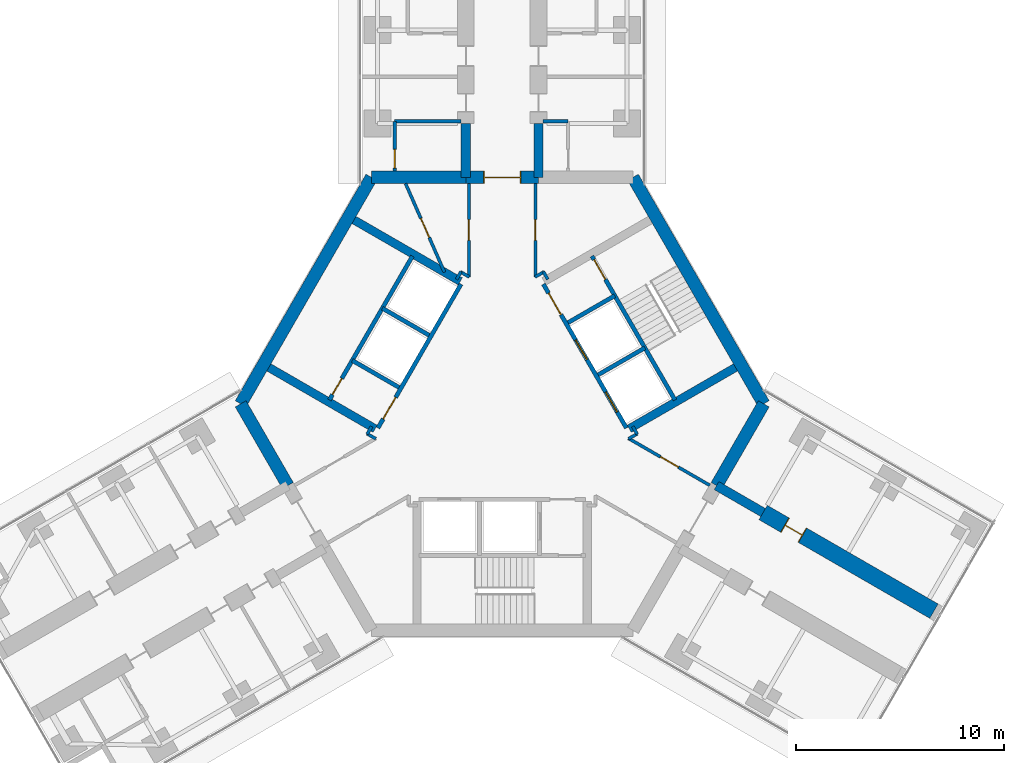
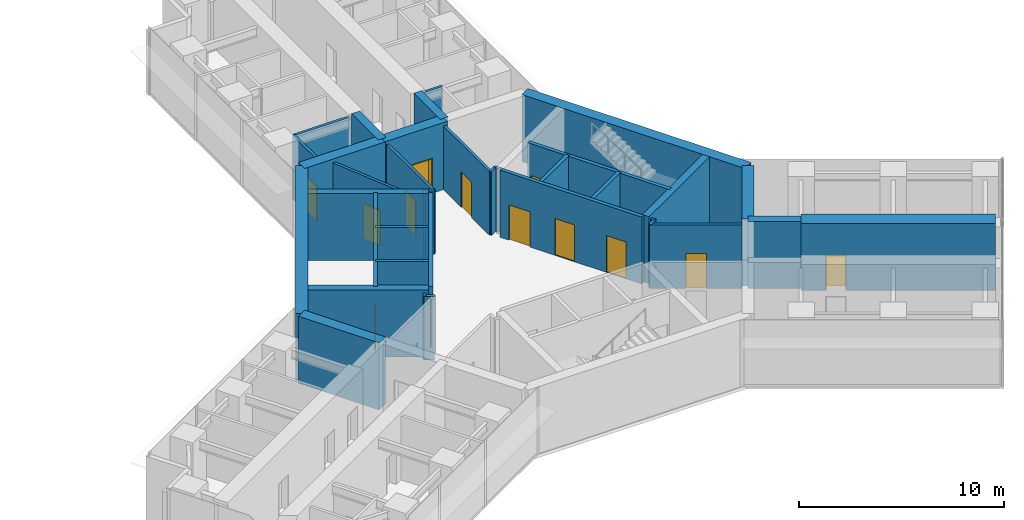
# One storey, part 19 of 22: 36 walls, 13 doors, 13 openings.
"""IFC4 building model written with IfcOpenShell, lengths in metres."""

from ifc_helpers import new_model, si_unit, direction, frame, frame_2d, origin, place, context, subcontext, project, spatial, rectangle, extrude, material, layer, layer_set, type_object, element, fill, save


model = new_model("IFC4")

# Units and contexts
model_context = context("Model", 3, precision=1e-05, world=origin(), true_north=direction((0.0, 1.0)))
body_context = subcontext(model_context, "Body", "Model", "MODEL_VIEW")
ifc_project = project(units=[si_unit("LENGTHUNIT", "METRE"), si_unit("AREAUNIT", "SQUARE_METRE"), si_unit("VOLUMEUNIT", "CUBIC_METRE"), si_unit("PLANEANGLEUNIT", "RADIAN"), si_unit("MASSUNIT", "GRAM", prefix="KILO")], contexts=[model_context])

# Site, building, storey
site_placement = place(None, origin())
site = spatial("IfcSite", under=ifc_project, at=site_placement, CompositionType="ELEMENT")
building_placement = place(site_placement, origin())
building = spatial("IfcBuilding", under=site, at=building_placement, Name="Upepo Twin Towers", CompositionType="ELEMENT")
storey_placement = place(building_placement, frame((0.0, 0.0, 129.5)))
storey = spatial("IfcBuildingStorey", under=building, at=storey_placement, Name="L31", CompositionType="ELEMENT", Elevation=129.5)

# Walls
ifc_material_1 = material(Name="Concrete C60/75", Category="concrete")
ifc_layer_1 = layer(ifc_material_1, 0.449951171875)
ifc_layer_set_1 = layer_set([ifc_layer_1], Name="Concrete C60/75")
wall_type_1 = type_object("IfcWallType", Name="Buttress wall 450 RC", PredefinedType="SHEAR", material=ifc_layer_set_1)
for number, where, z_axis, x_axis, name in (
    (1, (56.75, -7.091552734375, 0.0), (0.0, 0.0, 1.0), (0.0, 1.0, 0.0), "T2 wing A buttress wall L"),
    (2, (60.25, -7.091552734375, 0.0), (0.0, 0.0, 1.0), (0.0, 1.0, 0.0), "T2 wing A buttress wall R"),
):
    element("IfcWall", number, at=place(storey_placement, frame(where, z_axis=z_axis, x_axis=x_axis)), inside=storey, type_object=wall_type_1, Name=name, PredefinedType="SHEAR", context=body_context, shape_type="SweptSolid", body=[
        extrude(rectangle(XDim=2.591552734375, YDim=0.449951171875, at=frame_2d((1.2958984375, 0.0))), origin(), (0.0, 0.0, 1.0), 4.0),
    ])
wall_1_placement = place(storey_placement, frame((68.82177734375, -21.938720703125, 0.0), z_axis=(0.0, 0.0, 1.0), x_axis=(0.866072649678, -0.499918158782, 0.0)))
element("IfcWall", 3, at=wall_1_placement, inside=storey, type_object=wall_type_1, Name="T2 wing C buttress wall L", PredefinedType="SHEAR", context=body_context, shape_type="SweptSolid", body=[
    extrude(rectangle(XDim=2.591796875, YDim=0.449951171875, at=frame_2d((1.2958984375, 0.0))), origin(), (0.0, 0.0, 1.0), 4.0),
])

# Wall, opening, door
ifc_material_2 = material(Name="Concrete C60/75", Category="concrete")
ifc_layer_2 = layer(ifc_material_2, 0.800048828125)
ifc_layer_set_2 = layer_set([ifc_layer_2], Name="Concrete C60/75")
wall_type_2 = type_object("IfcWallType", Name="Buttress wall 800 RC", PredefinedType="SHEAR", material=ifc_layer_set_2)
wall_2_placement = place(storey_placement, frame((71.06640625, -23.234375, 0.0), z_axis=(0.0, 0.0, 1.0), x_axis=(0.86602681393, -0.499997557548, 0.0)))
wall_2 = element("IfcWall", 4, at=wall_2_placement, inside=storey, type_object=wall_type_2, Name="T2 wing C buttress wall L part 2", PredefinedType="SHEAR", context=body_context, shape_type="SweptSolid", body=[
    extrude(rectangle(XDim=9.5, YDim=0.800048828125, at=frame_2d((4.75, 0.0))), origin(), (0.0, 0.0, 1.0), 4.0),
])
opening_1_placement = place(wall_2_placement, frame((1.199951171875, 0.0, 0.0)))
opening_1 = element("IfcOpeningElement", 5, at=opening_1_placement, cuts=wall_2, Name="Opening D1", PredefinedType="OPENING", context=body_context, shape_type="SweptSolid", body=[
    extrude(rectangle(XDim=1.0, YDim=2.10009765625, at=frame_2d((0.5, 1.050048828125))), frame((0.0, 0.409912109375, 0.0), z_axis=(0.0, -1.0, 0.0), x_axis=(1.0, 0.0, 0.0)), (0.0, 0.0, 1.0), 0.820068359375),
])
ifc_material_3 = material(Name="Timber doorset", Category="wood")
door_type_1 = type_object("IfcDoorType", Name="Room door 1000 FD30", OperationType="SINGLE_SWING_LEFT", PredefinedType="DOOR", material=ifc_material_3)
door_1_placement = place(opening_1_placement, origin())
door_1 = element("IfcDoor", 6, at=door_1_placement, inside=storey, type_object=door_type_1, Name="T2 L31 staff office door", OperationType="SINGLE_SWING_LEFT", OverallHeight=2.10009765625, OverallWidth=1.0, PredefinedType="DOOR", context=body_context, shape_type="SweptSolid", body=[
    extrude(rectangle(XDim=0.92, YDim=2.06009765625, at=frame_2d((0.5, 1.030029296875))), frame((0.0, 0.02490234375, 0.0), z_axis=(0.0, -1.0, 0.0), x_axis=(1.0, 0.0, 0.0)), (0.0, 0.0, 1.0), 0.050048828125),
    extrude(rectangle(XDim=0.04, YDim=2.10009765625, at=frame_2d((0.02001953125, 1.050048828125))), frame((0.0, 0.39990234375, 0.0), z_axis=(0.0, -1.0, 0.0), x_axis=(1.0, 0.0, 0.0)), (0.0, 0.0, 1.0), 0.799560546875),
    extrude(rectangle(XDim=0.04, YDim=2.10009765625, at=frame_2d((0.97998046875, 1.050048828125))), frame((0.0, 0.39990234375, 0.0), z_axis=(0.0, -1.0, 0.0), x_axis=(1.0, 0.0, 0.0)), (0.0, 0.0, 1.0), 0.799560546875),
    extrude(rectangle(XDim=0.92, YDim=0.04, at=frame_2d((0.5, 2.080078125))), frame((0.0, 0.39990234375, 0.0), z_axis=(0.0, -1.0, 0.0), x_axis=(1.0, 0.0, 0.0)), (0.0, 0.0, 1.0), 0.799560546875),
])
fill(opening_1, door_1)

ifc_material_4 = material(Name="Concrete C60/75", Category="concrete")
ifc_layer_3 = layer(ifc_material_4, 0.60009765625)
ifc_layer_set_3 = layer_set([ifc_layer_3], Name="Concrete C60/75")
wall_type_3 = type_object("IfcWallType", Name="Core wall 600 RC", PredefinedType="SHEAR", material=ifc_layer_set_3)
wall_3_placement = place(storey_placement, frame((60.25, -7.091552734375, 0.0), z_axis=(0.0, 0.0, 1.0), x_axis=(-1.0, 0.0, 0.0)))
wall_3 = element("IfcWall", 7, at=wall_3_placement, inside=storey, type_object=wall_type_3, Name="T2 core wall 000", PredefinedType="SHEAR", context=body_context, shape_type="SweptSolid", body=[
    extrude(rectangle(XDim=3.5, YDim=0.60009765625, at=frame_2d((1.75, 0.0))), origin(), (0.0, 0.0, 1.0), 4.0),
])
opening_2_placement = place(wall_3_placement, frame((0.85009765625, 0.0, 0.0)))
opening_2 = element("IfcOpeningElement", 8, at=opening_2_placement, cuts=wall_3, Name="Opening D2", PredefinedType="OPENING", context=body_context, shape_type="SweptSolid", body=[
    extrude(rectangle(XDim=1.800048828125, YDim=2.10009765625, at=frame_2d((0.89990234375, 1.050048828125))), frame((0.0, 0.31005859375, 0.0), z_axis=(0.0, -1.0, 0.0), x_axis=(1.0, 0.0, 0.0)), (0.0, 0.0, 1.0), 0.6201171875),
])
ifc_material_5 = material(Name="Timber doorset", Category="wood")
door_type_2 = type_object("IfcDoorType", Name="Corridor double door 1800 FD60", OperationType="DOUBLE_DOOR_DOUBLE_SWING", PredefinedType="DOOR", material=ifc_material_5)
door_2_placement = place(opening_2_placement, origin())
door_2 = element("IfcDoor", 9, at=door_2_placement, inside=storey, type_object=door_type_2, Name="T2 L31 wing A corridor door", OperationType="DOUBLE_DOOR_DOUBLE_SWING", OverallHeight=2.10009765625, OverallWidth=1.800048828125, PredefinedType="DOOR", context=body_context, shape_type="SweptSolid", body=[
    extrude(rectangle(XDim=1.720048828125, YDim=2.06009765625, at=frame_2d((0.89990234375, 1.030029296875))), frame((0.0, 0.02490234375, 0.0), z_axis=(0.0, -1.0, 0.0), x_axis=(1.0, 0.0, 0.0)), (0.0, 0.0, 1.0), 0.050048828125),
    extrude(rectangle(XDim=0.04, YDim=2.10009765625, at=frame_2d((0.02001953125, 1.050048828125))), frame((0.0, 0.2998046875, 0.0), z_axis=(0.0, -1.0, 0.0), x_axis=(1.0, 0.0, 0.0)), (0.0, 0.0, 1.0), 0.599609375),
    extrude(rectangle(XDim=0.04, YDim=2.10009765625, at=frame_2d((1.780029296875, 1.050048828125))), frame((0.0, 0.2998046875, 0.0), z_axis=(0.0, -1.0, 0.0), x_axis=(1.0, 0.0, 0.0)), (0.0, 0.0, 1.0), 0.599609375),
    extrude(rectangle(XDim=1.720048828125, YDim=0.04, at=frame_2d((0.89990234375, 2.080078125))), frame((0.0, 0.2998046875, 0.0), z_axis=(0.0, -1.0, 0.0), x_axis=(1.0, 0.0, 0.0)), (0.0, 0.0, 1.0), 0.599609375),
])
fill(opening_2, door_2)

# Walls
wall_4_placement = place(storey_placement, frame((56.75, -7.091552734375, 0.0), z_axis=(0.0, 0.0, 1.0), x_axis=(-1.0, 0.0, 0.0)))
element("IfcWall", 10, at=wall_4_placement, inside=storey, type_object=wall_type_3, Name="T2 core wall 000 L", PredefinedType="SHEAR", context=body_context, shape_type="SweptSolid", body=[
    extrude(rectangle(XDim=4.5478515625, YDim=0.60009765625, at=frame_2d((2.27392578125, 0.0))), origin(), (0.0, 0.0, 1.0), 4.0),
])
wall_5_placement = place(storey_placement, frame((52.2021484375, -7.091552734375, 0.0), z_axis=(0.0, 0.0, 1.0), x_axis=(-0.500005998175, -0.866021940709, 0.0)))
element("IfcWall", 11, at=wall_5_placement, inside=storey, type_object=wall_type_3, Name="T2 core wall 060", PredefinedType="SHEAR", context=body_context, shape_type="SweptSolid", body=[
    extrude(rectangle(XDim=12.595947265625, YDim=0.60009765625, at=frame_2d((6.2978515625, 0.0))), origin(), (0.0, 0.0, 1.0), 4.0),
])
for number, where, z_axis, x_axis, name in (
    (12, (45.904052734375, -18.0, 0.0), (0.0, 0.0, 1.0), (0.500024481964, -0.866011268655, 0.0), "T2 core wall 120 R"),
    (13, (68.82177734375, -21.938720703125, 0.0), (0.0, 0.0, 1.0), (0.500024481964, 0.866011268655, 0.0), "T2 core wall 240 L"),
):
    element("IfcWall", number, at=place(storey_placement, frame(where, z_axis=z_axis, x_axis=x_axis)), inside=storey, type_object=wall_type_3, Name=name, PredefinedType="SHEAR", context=body_context, shape_type="SweptSolid", body=[
        extrude(rectangle(XDim=4.548095703125, YDim=0.60009765625, at=frame_2d((2.27392578125, 0.0))), origin(), (0.0, 0.0, 1.0), 4.0),
    ])
wall_6_placement = place(storey_placement, frame((71.095947265625, -18.0, 0.0), z_axis=(0.0, 0.0, 1.0), x_axis=(-0.500005998175, 0.866021940709, 0.0)))
element("IfcWall", 14, at=wall_6_placement, inside=storey, type_object=wall_type_3, Name="T2 core wall 300", PredefinedType="SHEAR", context=body_context, shape_type="SweptSolid", body=[
    extrude(rectangle(XDim=12.595947265625, YDim=0.60009765625, at=frame_2d((6.2978515625, 0.0))), origin(), (0.0, 0.0, 1.0), 4.0),
])

# Wall, opening, door
ifc_material_6 = material(Name="Concrete C40/50", Category="concrete")
ifc_layer_4 = layer(ifc_material_6, 0.199951171875)
ifc_layer_set_4 = layer_set([ifc_layer_4], Name="Concrete C40/50")
wall_type_4 = type_object("IfcWallType", Name="Shaft wall 200 RC", PredefinedType="SHEAR", material=ifc_layer_set_4)
wall_7_placement = place(storey_placement, frame((56.516357421875, -12.23583984375, 0.0), z_axis=(0.0, 0.0, 1.0), x_axis=(-0.49999894854, -0.866026010844, 0.0)))
wall_7 = element("IfcWall", 15, at=wall_7_placement, inside=storey, type_object=wall_type_4, Name="T2 core W60 front wall", PredefinedType="SHEAR", context=body_context, shape_type="SweptSolid", body=[
    extrude(rectangle(XDim=8.0, YDim=0.199951171875, at=frame_2d((4.0, 0.0))), origin(), (0.0, 0.0, 1.0), 4.0),
])
opening_3_placement = place(wall_7_placement, frame((6.300048828125, 0.0, 0.0)))
opening_3 = element("IfcOpeningElement", 16, at=opening_3_placement, cuts=wall_7, Name="Opening D4", PredefinedType="OPENING", context=body_context, shape_type="SweptSolid", body=[
    extrude(rectangle(XDim=1.199951171875, YDim=2.10009765625, at=frame_2d((0.60009765625, 1.050048828125))), frame((0.0, 0.10986328125, 0.0), z_axis=(0.0, -1.0, 0.0), x_axis=(1.0, 0.0, 0.0)), (0.0, 0.0, 1.0), 0.219970703125),
])
ifc_material_7 = material(Name="Timber doorset", Category="wood")
door_type_3 = type_object("IfcDoorType", Name="Lobby door 1200 FD60", OperationType="SINGLE_SWING_LEFT", PredefinedType="DOOR", material=ifc_material_7)
door_3_placement = place(opening_3_placement, origin())
door_3 = element("IfcDoor", 17, at=door_3_placement, inside=storey, type_object=door_type_3, Name="T2 L31 W60 lobby door", OperationType="SINGLE_SWING_RIGHT", OverallHeight=2.10009765625, OverallWidth=1.199951171875, PredefinedType="DOOR", context=body_context, shape_type="SweptSolid", body=[
    extrude(rectangle(XDim=1.199951171875, YDim=2.10009765625, at=frame_2d((0.60009765625, 1.050048828125))), frame((0.0, 0.02490234375, 0.0), z_axis=(0.0, -1.0, 0.0), x_axis=(1.0, 0.0, 0.0)), (0.0, 0.0, 1.0), 0.050048828125),
])
fill(opening_3, door_3)

# Walls
for number, where, z_axis, x_axis, name in (
    (18, (54.979736328125, -14.697265625, 0.0), (0.0, 0.0, 1.0), (-0.866062058628, 0.499936506574, 0.0), "T2 core W60 shaft divider"),
    (19, (53.52978515625, -17.208740234375, 0.0), (0.0, 0.0, 1.0), (-0.866062058628, 0.499936506574, 0.0), "T2 core W60 lobby wall"),
):
    element("IfcWall", number, at=place(storey_placement, frame(where, z_axis=z_axis, x_axis=x_axis)), inside=storey, type_object=wall_type_4, Name=name, PredefinedType="SHEAR", context=body_context, shape_type="SweptSolid", body=[
        extrude(rectangle(XDim=2.599853515625, YDim=0.199951171875, at=frame_2d((1.2998046875, 0.0))), origin(), (0.0, 0.0, 1.0), 4.0),
    ])

# Wall, opening, door
wall_8_placement = place(storey_placement, frame((54.177978515625, -10.885986328125, 0.0), z_axis=(0.0, 0.0, 1.0), x_axis=(-0.49999894854, -0.866026010844, 0.0)))
wall_8 = element("IfcWall", 20, at=wall_8_placement, inside=storey, type_object=wall_type_4, Name="T2 core W60 stair wall", PredefinedType="SHEAR", context=body_context, shape_type="SweptSolid", body=[
    extrude(rectangle(XDim=8.0, YDim=0.199951171875, at=frame_2d((4.0, 0.0))), origin(), (0.0, 0.0, 1.0), 4.0),
])
opening_4_placement = place(wall_8_placement, frame((6.800048828125, 0.0, 0.0)))
opening_4 = element("IfcOpeningElement", 21, at=opening_4_placement, cuts=wall_8, Name="Opening D9", PredefinedType="OPENING", context=body_context, shape_type="SweptSolid", body=[
    extrude(rectangle(XDim=0.89990234375, YDim=2.10009765625, at=frame_2d((0.449951171875, 1.050048828125))), frame((0.0, 0.10986328125, 0.0), z_axis=(0.0, -1.0, 0.0), x_axis=(1.0, 0.0, 0.0)), (0.0, 0.0, 1.0), 0.219970703125),
])
ifc_material_8 = material(Name="Timber doorset", Category="wood")
door_type_4 = type_object("IfcDoorType", Name="Riser door 900 FD60", OperationType="SINGLE_SWING_LEFT", PredefinedType="DOOR", material=ifc_material_8)
door_4_placement = place(opening_4_placement, origin())
door_4 = element("IfcDoor", 22, at=door_4_placement, inside=storey, type_object=door_type_4, Name="T2 L31 riser door", OperationType="SINGLE_SWING_RIGHT", OverallHeight=2.10009765625, OverallWidth=0.89990234375, PredefinedType="DOOR", context=body_context, shape_type="SweptSolid", body=[
    extrude(rectangle(XDim=0.89990234375, YDim=2.10009765625, at=frame_2d((0.449951171875, 1.050048828125))), frame((0.0, 0.02490234375, 0.0), z_axis=(0.0, -1.0, 0.0), x_axis=(1.0, 0.0, 0.0)), (0.0, 0.0, 1.0), 0.050048828125),
])
fill(opening_4, door_4)

# Wall, openings, doors
wall_9_placement = place(storey_placement, frame((64.483642578125, -19.1640625, 0.0), z_axis=(0.0, 0.0, 1.0), x_axis=(-0.49999894854, 0.866026010844, 0.0)))
wall_9 = element("IfcWall", 23, at=wall_9_placement, inside=storey, type_object=wall_type_4, Name="T2 core W300 front wall", PredefinedType="SHEAR", context=body_context, shape_type="SweptSolid", body=[
    extrude(rectangle(XDim=8.0, YDim=0.199951171875, at=frame_2d((4.0, 0.0))), origin(), (0.0, 0.0, 1.0), 4.0),
])
opening_5_placement = place(wall_9_placement, frame((6.300048828125, 0.0, 0.0)))
opening_5 = element("IfcOpeningElement", 24, at=opening_5_placement, cuts=wall_9, Name="Opening D4", PredefinedType="OPENING", context=body_context, shape_type="SweptSolid", body=[
    extrude(rectangle(XDim=1.199951171875, YDim=2.10009765625, at=frame_2d((0.60009765625, 1.050048828125))), frame((0.0, 0.10986328125, 0.0), z_axis=(0.0, -1.0, 0.0), x_axis=(1.0, 0.0, 0.0)), (0.0, 0.0, 1.0), 0.219970703125),
])
opening_6_placement = place(wall_9_placement, frame((0.89990234375, 0.0, 0.0)))
opening_6 = element("IfcOpeningElement", 25, at=opening_6_placement, cuts=wall_9, Name="Opening LD1", PredefinedType="OPENING", context=body_context, shape_type="SweptSolid", body=[
    extrude(rectangle(XDim=1.10009765625, YDim=2.199951171875, at=frame_2d((0.550048828125, 1.10009765625))), frame((0.0, 0.10986328125, 0.0), z_axis=(0.0, -1.0, 0.0), x_axis=(1.0, 0.0, 0.0)), (0.0, 0.0, 1.0), 0.219970703125),
])
opening_7_placement = place(wall_9_placement, frame((3.800048828125, 0.0, 0.0)))
opening_7 = element("IfcOpeningElement", 26, at=opening_7_placement, cuts=wall_9, Name="Opening LD1", PredefinedType="OPENING", context=body_context, shape_type="SweptSolid", body=[
    extrude(rectangle(XDim=1.10009765625, YDim=2.199951171875, at=frame_2d((0.550048828125, 1.10009765625))), frame((0.0, 0.10986328125, 0.0), z_axis=(0.0, -1.0, 0.0), x_axis=(1.0, 0.0, 0.0)), (0.0, 0.0, 1.0), 0.219970703125),
])
ifc_material_9 = material(Name="Steel doorset", Category="steel")
door_type_5 = type_object("IfcDoorType", Name="Lift landing door 1100", OperationType="DOUBLE_DOOR_SLIDING", PredefinedType="DOOR", material=ifc_material_9)
door_5_placement = place(opening_6_placement, origin())
door_5 = element("IfcDoor", 27, at=door_5_placement, inside=storey, type_object=door_type_5, Name="T2 L31 lift ML1 landing door", OperationType="DOUBLE_DOOR_SLIDING", OverallHeight=2.199951171875, OverallWidth=1.10009765625, PredefinedType="DOOR", context=body_context, shape_type="SweptSolid", body=[
    extrude(rectangle(XDim=1.10009765625, YDim=2.199951171875, at=frame_2d((0.550048828125, 1.10009765625))), frame((0.0, 0.02490234375, 0.0), z_axis=(0.0, -1.0, 0.0), x_axis=(1.0, 0.0, 0.0)), (0.0, 0.0, 1.0), 0.050048828125),
])
fill(opening_6, door_5)
door_6_placement = place(opening_7_placement, origin())
door_6 = element("IfcDoor", 28, at=door_6_placement, inside=storey, type_object=door_type_5, Name="T2 L31 lift ML2 landing door", OperationType="DOUBLE_DOOR_SLIDING", OverallHeight=2.199951171875, OverallWidth=1.10009765625, PredefinedType="DOOR", context=body_context, shape_type="SweptSolid", body=[
    extrude(rectangle(XDim=1.10009765625, YDim=2.199951171875, at=frame_2d((0.550048828125, 1.10009765625))), frame((0.0, 0.02490234375, 0.0), z_axis=(0.0, -1.0, 0.0), x_axis=(1.0, 0.0, 0.0)), (0.0, 0.0, 1.0), 0.050048828125),
])
fill(opening_7, door_6)
door_7_placement = place(opening_5_placement, origin())
door_7 = element("IfcDoor", 29, at=door_7_placement, inside=storey, type_object=door_type_3, Name="T2 L31 W300 lobby door", OperationType="SINGLE_SWING_RIGHT", OverallHeight=2.10009765625, OverallWidth=1.199951171875, PredefinedType="DOOR", context=body_context, shape_type="SweptSolid", body=[
    extrude(rectangle(XDim=1.199951171875, YDim=2.10009765625, at=frame_2d((0.60009765625, 1.050048828125))), frame((0.0, 0.02490234375, 0.0), z_axis=(0.0, -1.0, 0.0), x_axis=(1.0, 0.0, 0.0)), (0.0, 0.0, 1.0), 0.050048828125),
])
fill(opening_5, door_7)

# Walls
wall_10_placement = place(storey_placement, frame((63.120361328125, -16.6025390625, 0.0), z_axis=(0.0, 0.0, 1.0), x_axis=(0.866062058628, 0.499936506574, 0.0)))
element("IfcWall", 30, at=wall_10_placement, inside=storey, type_object=wall_type_4, Name="T2 core W300 shaft divider", PredefinedType="SHEAR", context=body_context, shape_type="SweptSolid", body=[
    extrude(rectangle(XDim=2.599853515625, YDim=0.199951171875, at=frame_2d((1.2998046875, 0.0))), origin(), (0.0, 0.0, 1.0), 4.0),
])
wall_11_placement = place(storey_placement, frame((61.67041015625, -14.091064453125, 0.0), z_axis=(0.0, 0.0, 1.0), x_axis=(0.86603858612, 0.49997716683, 0.0)))
element("IfcWall", 31, at=wall_11_placement, inside=storey, type_object=wall_type_4, Name="T2 core W300 lobby wall", PredefinedType="SHEAR", context=body_context, shape_type="SweptSolid", body=[
    extrude(rectangle(XDim=2.599609375, YDim=0.199951171875, at=frame_2d((1.2998046875, 0.0))), origin(), (0.0, 0.0, 1.0), 4.0),
])

# Wall, opening, door
wall_12_placement = place(storey_placement, frame((66.822021484375, -17.814208984375, 0.0), z_axis=(0.0, 0.0, 1.0), x_axis=(-0.49999894854, 0.866026010844, 0.0)))
wall_12 = element("IfcWall", 32, at=wall_12_placement, inside=storey, type_object=wall_type_4, Name="T2 core W300 stair wall", PredefinedType="SHEAR", context=body_context, shape_type="SweptSolid", body=[
    extrude(rectangle(XDim=8.0, YDim=0.199951171875, at=frame_2d((4.0, 0.0))), origin(), (0.0, 0.0, 1.0), 4.0),
])
opening_8_placement = place(wall_12_placement, frame((6.699951171875, 0.0, 0.0)))
opening_8 = element("IfcOpeningElement", 33, at=opening_8_placement, cuts=wall_12, Name="Opening D3", PredefinedType="OPENING", context=body_context, shape_type="SweptSolid", body=[
    extrude(rectangle(XDim=1.10009765625, YDim=2.10009765625, at=frame_2d((0.550048828125, 1.050048828125))), frame((0.0, 0.10986328125, 0.0), z_axis=(0.0, -1.0, 0.0), x_axis=(1.0, 0.0, 0.0)), (0.0, 0.0, 1.0), 0.219970703125),
])
ifc_material_10 = material(Name="Timber doorset", Category="wood")
door_type_6 = type_object("IfcDoorType", Name="Stair door 1100 FD60", OperationType="SINGLE_SWING_LEFT", PredefinedType="DOOR", material=ifc_material_10)
door_8_placement = place(opening_8_placement, origin())
door_8 = element("IfcDoor", 34, at=door_8_placement, inside=storey, type_object=door_type_6, Name="T2 L31 stair door", OperationType="SINGLE_SWING_RIGHT", OverallHeight=2.10009765625, OverallWidth=1.10009765625, PredefinedType="DOOR", context=body_context, shape_type="SweptSolid", body=[
    extrude(rectangle(XDim=1.10009765625, YDim=2.10009765625, at=frame_2d((0.550048828125, 1.050048828125))), frame((0.0, 0.02490234375, 0.0), z_axis=(0.0, -1.0, 0.0), x_axis=(1.0, 0.0, 0.0)), (0.0, 0.0, 1.0), 0.050048828125),
])
fill(opening_8, door_8)

# Walls
ifc_material_11 = material(Name="Concrete C40/50", Category="concrete")
ifc_layer_5 = layer(ifc_material_11, 0.39990234375)
ifc_layer_set_5 = layer_set([ifc_layer_5], Name="Concrete C40/50")
wall_type_5 = type_object("IfcWallType", Name="Shaft wall 400 RC", PredefinedType="SHEAR", material=ifc_layer_set_5)
wall_13_placement = place(storey_placement, frame((52.379638671875, -19.20068359375, 0.0), z_axis=(0.0, 0.0, 1.0), x_axis=(-0.866027317282, 0.49999668571, 0.0)))
element("IfcWall", 35, at=wall_13_placement, inside=storey, type_object=wall_type_5, Name="T2 core W60 side wall N", PredefinedType="SHEAR", context=body_context, shape_type="SweptSolid", body=[
    extrude(rectangle(XDim=5.908203125, YDim=0.39990234375, at=frame_2d((2.9541015625, 0.0))), origin(), (0.0, 0.0, 1.0), 4.0),
])
wall_14_placement = place(storey_placement, frame((56.479736328125, -12.099365234375, 0.0), z_axis=(0.0, 0.0, 1.0), x_axis=(-0.866009424208, 0.500027676417, 0.0)))
element("IfcWall", 36, at=wall_14_placement, inside=storey, type_object=wall_type_5, Name="T2 core W60 side wall S", PredefinedType="SHEAR", context=body_context, shape_type="SweptSolid", body=[
    extrude(rectangle(XDim=5.908447265625, YDim=0.39990234375, at=frame_2d((2.9541015625, 0.0))), origin(), (0.0, 0.0, 1.0), 4.0),
])
wall_15_placement = place(storey_placement, frame((64.620361328125, -19.20068359375, 0.0), z_axis=(0.0, 0.0, 1.0), x_axis=(0.866027317282, 0.49999668571, 0.0)))
element("IfcWall", 37, at=wall_15_placement, inside=storey, type_object=wall_type_5, Name="T2 core W300 side wall S", PredefinedType="SHEAR", context=body_context, shape_type="SweptSolid", body=[
    extrude(rectangle(XDim=5.908203125, YDim=0.39990234375, at=frame_2d((2.9541015625, 0.0))), origin(), (0.0, 0.0, 1.0), 4.0),
])

# Wall, opening, door
ifc_material_12 = material(Name="Gypsum board on steel studs", Category="steel")
ifc_layer_6 = layer(ifc_material_12, 0.14990234375)
ifc_layer_set_6 = layer_set([ifc_layer_6], Name="Teaching partition 150 acoustic")
wall_type_6 = type_object("IfcWallType", Name="Teaching partition 150 acoustic", PredefinedType="PARTITIONING", material=ifc_layer_set_6)
wall_16_placement = place(storey_placement, frame((53.324951171875, -6.7919921875, 0.0), z_axis=(0.0, 0.0, 1.0), x_axis=(0.0, 1.0, 0.0)))
wall_16 = element("IfcWall", 38, at=wall_16_placement, inside=storey, type_object=wall_type_6, Name="T2 WC bay partition AL at 11.21", PredefinedType="PARTITIONING", context=body_context, shape_type="SweptSolid", body=[
    extrude(rectangle(XDim=2.39990234375, YDim=0.14990234375, at=frame_2d((1.199951171875, 0.0))), origin(), (0.0, 0.0, 1.0), 3.800048828125),
])
opening_9_placement = place(wall_16_placement, frame((0.14990234375, 0.0, 0.0)))
opening_9 = element("IfcOpeningElement", 39, at=opening_9_placement, cuts=wall_16, Name="Opening D14", PredefinedType="OPENING", context=body_context, shape_type="SweptSolid", body=[
    extrude(rectangle(XDim=0.89990234375, YDim=2.10009765625, at=frame_2d((0.449951171875, 1.050048828125))), frame((0.0, 0.0849609375, 0.0), z_axis=(0.0, -1.0, 0.0), x_axis=(1.0, 0.0, 0.0)), (0.0, 0.0, 1.0), 0.169921875),
])
ifc_material_13 = material(Name="Timber doorset", Category="wood")
door_type_7 = type_object("IfcDoorType", Name="Office door 900 FD30", OperationType="SINGLE_SWING_LEFT", PredefinedType="DOOR", material=ifc_material_13)
door_9_placement = place(opening_9_placement, origin())
door_9 = element("IfcDoor", 40, at=door_9_placement, inside=storey, type_object=door_type_7, Name="T2 L31 WC bay inner room door", OperationType="SINGLE_SWING_LEFT", OverallHeight=2.10009765625, OverallWidth=0.89990234375, PredefinedType="DOOR", context=body_context, shape_type="SweptSolid", body=[
    extrude(rectangle(XDim=0.89990234375, YDim=2.10009765625, at=frame_2d((0.449951171875, 1.050048828125))), frame((0.0, 0.02490234375, 0.0), z_axis=(0.0, -1.0, 0.0), x_axis=(1.0, 0.0, 0.0)), (0.0, 0.0, 1.0), 0.050048828125),
])
fill(opening_9, door_9)

# Walls
wall_17_placement = place(storey_placement, frame((56.52490234375, -4.39208984375, 0.0), z_axis=(0.0, 0.0, 1.0), x_axis=(-1.0, 0.0, 0.0)))
element("IfcWall", 41, at=wall_17_placement, inside=storey, type_object=wall_type_6, Name="T2 WC bay partition AL end at 13.61", PredefinedType="PARTITIONING", context=body_context, shape_type="SweptSolid", body=[
    extrude(rectangle(XDim=3.199951171875, YDim=0.14990234375, at=frame_2d((1.60009765625, 0.0))), origin(), (0.0, 0.0, 1.0), 3.800048828125),
])
wall_18_placement = place(storey_placement, frame((60.47509765625, -4.39208984375, 0.0), z_axis=(0.0, 0.0, 1.0), x_axis=(1.0, 0.0, 0.0)))
element("IfcWall", 42, at=wall_18_placement, inside=storey, type_object=wall_type_6, Name="T2 WC bay partition AR end at 13.61", PredefinedType="PARTITIONING", context=body_context, shape_type="SweptSolid", body=[
    extrude(rectangle(XDim=1.199951171875, YDim=0.14990234375, at=frame_2d((0.60009765625, 0.0))), origin(), (0.0, 0.0, 1.0), 3.800048828125),
])
wall_19_placement = place(storey_placement, frame((52.417236328125, -19.684326171875, 0.0), z_axis=(0.0, 0.0, 1.0), x_axis=(-0.865831790172, 0.50033519877, 0.0)))
element("IfcWall", 43, at=wall_19_placement, inside=storey, type_object=wall_type_6, Name="T2 core room partition 4", PredefinedType="PARTITIONING", context=body_context, shape_type="SweptSolid", body=[
    extrude(rectangle(XDim=0.494384765625, YDim=0.14990234375, at=frame_2d((0.2470703125, 0.0))), origin(), (0.0, 0.0, 1.0), 3.800048828125),
])
for number, where, z_axis, x_axis, name in (
    (44, (51.99658203125, -19.46435546875, 0.0), (0.0, 0.0, 1.0), (0.499804398801, 0.866138304741, 0.0), "T2 core room partition 5"),
    (45, (56.301513671875, -12.0078125, 0.0), (0.0, 0.0, 1.0), (0.500230298122, 0.865892400268, 0.0), "T2 core room partition 6"),
):
    element("IfcWall", number, at=place(storey_placement, frame(where, z_axis=z_axis, x_axis=x_axis)), inside=storey, type_object=wall_type_6, Name=name, PredefinedType="PARTITIONING", context=body_context, shape_type="SweptSolid", body=[
        extrude(rectangle(XDim=0.429931640625, YDim=0.14990234375, at=frame_2d((0.21484375, 0.0))), origin(), (0.0, 0.0, 1.0), 3.800048828125),
    ])
wall_20_placement = place(storey_placement, frame((56.4892578125, -11.642822265625, 0.0), z_axis=(0.0, 0.0, 1.0), x_axis=(0.865831790172, -0.50033519877, 0.0)))
element("IfcWall", 46, at=wall_20_placement, inside=storey, type_object=wall_type_6, Name="T2 core room partition 7", PredefinedType="PARTITIONING", context=body_context, shape_type="SweptSolid", body=[
    extrude(rectangle(XDim=0.494384765625, YDim=0.14990234375, at=frame_2d((0.2470703125, 0.0))), origin(), (0.0, 0.0, 1.0), 3.800048828125),
])

# Wall, opening, door
wall_21_placement = place(storey_placement, frame((56.89990234375, -11.900146484375, 0.0), z_axis=(0.0, 0.0, 1.0), x_axis=(0.0, 1.0, 0.0)))
wall_21 = element("IfcWall", 47, at=wall_21_placement, inside=storey, type_object=wall_type_6, Name="T2 core room partition 8", PredefinedType="PARTITIONING", context=body_context, shape_type="SweptSolid", body=[
    extrude(rectangle(XDim=4.5185546875, YDim=0.14990234375, at=frame_2d((2.25927734375, 0.0))), origin(), (0.0, 0.0, 1.0), 3.800048828125),
])
opening_10_placement = place(wall_21_placement, frame((1.769287109375, 0.0, 0.0)))
opening_10 = element("IfcOpeningElement", 48, at=opening_10_placement, cuts=wall_21, Name="Opening D1", PredefinedType="OPENING", context=body_context, shape_type="SweptSolid", body=[
    extrude(rectangle(XDim=1.0, YDim=2.10009765625, at=frame_2d((0.5, 1.050048828125))), frame((0.0, 0.0849609375, 0.0), z_axis=(0.0, -1.0, 0.0), x_axis=(1.0, 0.0, 0.0)), (0.0, 0.0, 1.0), 0.169921875),
])
door_10_placement = place(opening_10_placement, origin())
door_10 = element("IfcDoor", 49, at=door_10_placement, inside=storey, type_object=door_type_1, Name="T2 L31 core room door K7", OperationType="SINGLE_SWING_RIGHT", OverallHeight=2.10009765625, OverallWidth=1.0, PredefinedType="DOOR", context=body_context, shape_type="SweptSolid", body=[
    extrude(rectangle(XDim=1.0, YDim=2.10009765625, at=frame_2d((0.5, 1.050048828125))), frame((0.0, 0.02490234375, 0.0), z_axis=(0.0, -1.0, 0.0), x_axis=(1.0, 0.0, 0.0)), (0.0, 0.0, 1.0), 0.050048828125),
])
fill(opening_10, door_10)

wall_22_placement = place(storey_placement, frame((60.10009765625, -7.381591796875, 0.0), z_axis=(0.0, 0.0, 1.0), x_axis=(0.0, -1.0, 0.0)))
wall_22 = element("IfcWall", 50, at=wall_22_placement, inside=storey, type_object=wall_type_6, Name="T2 core room partition 9", PredefinedType="PARTITIONING", context=body_context, shape_type="SweptSolid", body=[
    extrude(rectangle(XDim=4.5185546875, YDim=0.14990234375, at=frame_2d((2.25927734375, 0.0))), origin(), (0.0, 0.0, 1.0), 3.800048828125),
])
opening_11_placement = place(wall_22_placement, frame((1.7490234375, 0.0, 0.0)))
opening_11 = element("IfcOpeningElement", 51, at=opening_11_placement, cuts=wall_22, Name="Opening D1", PredefinedType="OPENING", context=body_context, shape_type="SweptSolid", body=[
    extrude(rectangle(XDim=1.0, YDim=2.10009765625, at=frame_2d((0.5, 1.050048828125))), frame((0.0, 0.0849609375, 0.0), z_axis=(0.0, -1.0, 0.0), x_axis=(1.0, 0.0, 0.0)), (0.0, 0.0, 1.0), 0.169921875),
])
door_11_placement = place(opening_11_placement, origin())
door_11 = element("IfcDoor", 52, at=door_11_placement, inside=storey, type_object=door_type_1, Name="T2 L31 core room door K5", OperationType="SINGLE_SWING_LEFT", OverallHeight=2.10009765625, OverallWidth=1.0, PredefinedType="DOOR", context=body_context, shape_type="SweptSolid", body=[
    extrude(rectangle(XDim=1.0, YDim=2.10009765625, at=frame_2d((0.5, 1.050048828125))), frame((0.0, 0.02490234375, 0.0), z_axis=(0.0, -1.0, 0.0), x_axis=(1.0, 0.0, 0.0)), (0.0, 0.0, 1.0), 0.050048828125),
])
fill(opening_11, door_11)

# Walls
wall_23_placement = place(storey_placement, frame((60.082763671875, -11.89013671875, 0.0), z_axis=(0.0, 0.0, 1.0), x_axis=(0.865831790172, 0.50033519877, 0.0)))
element("IfcWall", 53, at=wall_23_placement, inside=storey, type_object=wall_type_6, Name="T2 core room partition 10", PredefinedType="PARTITIONING", context=body_context, shape_type="SweptSolid", body=[
    extrude(rectangle(XDim=0.494384765625, YDim=0.14990234375, at=frame_2d((0.2470703125, 0.0))), origin(), (0.0, 0.0, 1.0), 3.800048828125),
])
for number, where, z_axis, x_axis, name in (
    (54, (60.4833984375, -11.635498046875, 0.0), (0.0, 0.0, 1.0), (0.500230298122, -0.865892400268, 0.0), "T2 core room partition 11"),
    (55, (64.78857421875, -19.092041015625, 0.0), (0.0, 0.0, 1.0), (0.499804398801, -0.866138304741, 0.0), "T2 core room partition 12"),
):
    element("IfcWall", number, at=place(storey_placement, frame(where, z_axis=z_axis, x_axis=x_axis)), inside=storey, type_object=wall_type_6, Name=name, PredefinedType="PARTITIONING", context=body_context, shape_type="SweptSolid", body=[
        extrude(rectangle(XDim=0.429931640625, YDim=0.14990234375, at=frame_2d((0.21484375, 0.0))), origin(), (0.0, 0.0, 1.0), 3.800048828125),
    ])
wall_24_placement = place(storey_placement, frame((65.0107421875, -19.43701171875, 0.0), z_axis=(0.0, 0.0, 1.0), x_axis=(-0.865831790172, -0.50033519877, 0.0)))
element("IfcWall", 56, at=wall_24_placement, inside=storey, type_object=wall_type_6, Name="T2 core room partition 13", PredefinedType="PARTITIONING", context=body_context, shape_type="SweptSolid", body=[
    extrude(rectangle(XDim=0.494384765625, YDim=0.14990234375, at=frame_2d((0.2470703125, 0.0))), origin(), (0.0, 0.0, 1.0), 3.800048828125),
])

# Wall, opening, door
wall_25_placement = place(storey_placement, frame((64.582763671875, -19.664306640625, 0.0), z_axis=(0.0, 0.0, 1.0), x_axis=(0.866006515865, -0.500032713409, 0.0)))
wall_25 = element("IfcWall", 57, at=wall_25_placement, inside=storey, type_object=wall_type_6, Name="T2 core room partition 14", PredefinedType="PARTITIONING", context=body_context, shape_type="SweptSolid", body=[
    extrude(rectangle(XDim=4.518310546875, YDim=0.14990234375, at=frame_2d((2.25927734375, 0.0))), origin(), (0.0, 0.0, 1.0), 3.800048828125),
])
opening_12_placement = place(wall_25_placement, frame((1.769287109375, 0.0, 0.0)))
opening_12 = element("IfcOpeningElement", 58, at=opening_12_placement, cuts=wall_25, Name="Opening D1", PredefinedType="OPENING", context=body_context, shape_type="SweptSolid", body=[
    extrude(rectangle(XDim=1.0, YDim=2.10009765625, at=frame_2d((0.5, 1.050048828125))), frame((0.0, 0.0849609375, 0.0), z_axis=(0.0, -1.0, 0.0), x_axis=(1.0, 0.0, 0.0)), (0.0, 0.0, 1.0), 0.169921875),
])
door_12_placement = place(opening_12_placement, origin())
door_12 = element("IfcDoor", 59, at=door_12_placement, inside=storey, type_object=door_type_1, Name="T2 L31 core room door K4", OperationType="SINGLE_SWING_RIGHT", OverallHeight=2.10009765625, OverallWidth=1.0, PredefinedType="DOOR", context=body_context, shape_type="SweptSolid", body=[
    extrude(rectangle(XDim=1.0, YDim=2.10009765625, at=frame_2d((0.5, 1.050048828125))), frame((0.0, 0.02490234375, 0.0), z_axis=(0.0, -1.0, 0.0), x_axis=(1.0, 0.0, 0.0)), (0.0, 0.0, 1.0), 0.050048828125),
])
fill(opening_12, door_12)

wall_26_placement = place(storey_placement, frame((55.718994140625, -11.66015625, 0.0), z_axis=(0.0, 0.0, 1.0), x_axis=(-0.401686926791, 0.915777054116, 0.0)))
wall_26 = element("IfcWall", 60, at=wall_26_placement, inside=storey, type_object=wall_type_6, Name="T2 core room partition 19", PredefinedType="PARTITIONING", context=body_context, shape_type="SweptSolid", body=[
    extrude(rectangle(XDim=4.6611328125, YDim=0.14990234375, at=frame_2d((2.33056640625, 0.0))), origin(), (0.0, 0.0, 1.0), 3.800048828125),
])
opening_13_placement = place(wall_26_placement, frame((1.83056640625, 0.0, 0.0)))
opening_13 = element("IfcOpeningElement", 61, at=opening_13_placement, cuts=wall_26, Name="Opening D1", PredefinedType="OPENING", context=body_context, shape_type="SweptSolid", body=[
    extrude(rectangle(XDim=1.0, YDim=2.10009765625, at=frame_2d((0.5, 1.050048828125))), frame((0.0, 0.0849609375, 0.0), z_axis=(0.0, -1.0, 0.0), x_axis=(1.0, 0.0, 0.0)), (0.0, 0.0, 1.0), 0.169921875),
])
door_13_placement = place(opening_13_placement, origin())
door_13 = element("IfcDoor", 62, at=door_13_placement, inside=storey, type_object=door_type_1, Name="T2 L31 core room door K6", OperationType="SINGLE_SWING_LEFT", OverallHeight=2.10009765625, OverallWidth=1.0, PredefinedType="DOOR", context=body_context, shape_type="SweptSolid", body=[
    extrude(rectangle(XDim=1.0, YDim=2.10009765625, at=frame_2d((0.5, 1.050048828125))), frame((0.0, 0.02490234375, 0.0), z_axis=(0.0, -1.0, 0.0), x_axis=(1.0, 0.0, 0.0)), (0.0, 0.0, 1.0), 0.050048828125),
])
fill(opening_13, door_13)

save(model, "model.ifc")
